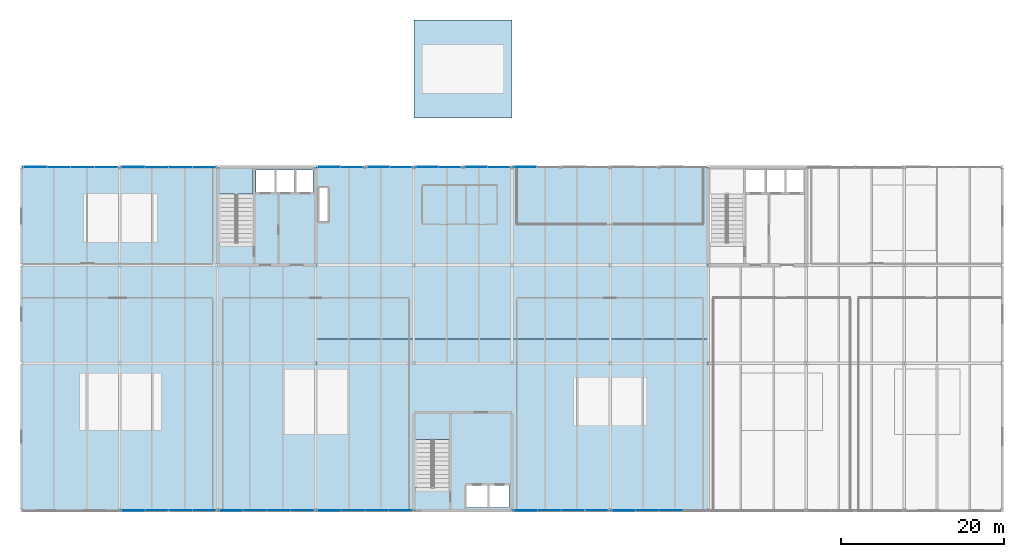
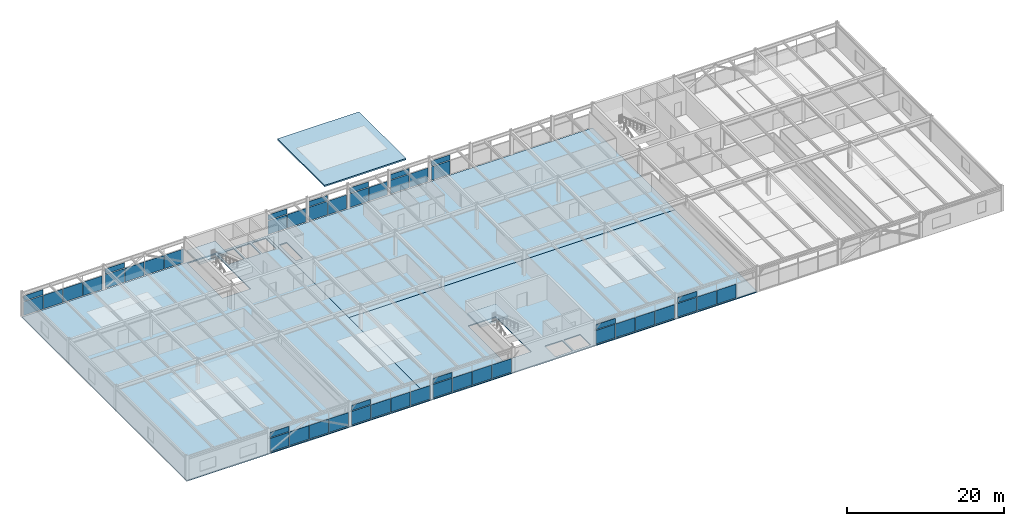
# One storey, part 39 of 49: 48 plates, 6 slabs, 14 elements without a shape of their own.
"""IFC4 building model written with IfcOpenShell, lengths in metres."""

import ifcopenshell
import ifcopenshell.guid

model = None  # the IFC model being written
_history = None  # IfcOwnerHistory: only IFC2X3 demands one
_inside = {}  # id of a spatial element -> (the spatial element, [elements in it])
_under = {}  # id of a project, library or spatial element -> (it, [spatial elements below it])
_declared = {}  # id of a project -> (the project, [libraries it declares])
_typed = {}  # id of a type object -> (the type object, [elements of that type])
_made_of = {}  # id of a material, layer set ... -> (it, [elements and type objects made of it])


def new_model(schema):
    """Start an empty IFC model of exactly this schema.

    Asked for "IFC4X3", IfcOpenShell would pick the latest addendum, in which some entities
    have other attributes; the version numbers below select the first issue.
    IFC2X3 requires an IfcOwnerHistory on every rooted entity: one is made here for all.
    """
    global model, _history
    if schema == "IFC4X3":
        model = ifcopenshell.file(schema_version=(4, 3, 0, 0))
    else:
        model = ifcopenshell.file(schema=schema)
    _inside.clear()
    _under.clear()
    _declared.clear()
    _typed.clear()
    _made_of.clear()
    _history = None
    if model.schema == "IFC2X3":
        org = make("IfcOrganization", Name="unknown")
        user = make(
            "IfcPersonAndOrganization",
            ThePerson=make("IfcPerson", FamilyName="unknown"),
            TheOrganization=org,
        )
        app = make(
            "IfcApplication",
            ApplicationDeveloper=org,
            Version="unknown",
            ApplicationFullName="unknown",
            ApplicationIdentifier="unknown",
        )
        _history = make(
            "IfcOwnerHistory",
            OwningUser=user,
            OwningApplication=app,
            ChangeAction="ADDED",
            CreationDate=0,
        )
    return model


def make(cls, **values):
    """One entity of the class cls with the attributes given. An attribute that is None is left unset."""
    return model.create_entity(
        cls, **{name: value for name, value in values.items() if value is not None}
    )


def rooted(cls, **values):
    """An entity with a GlobalId (a new one), such as an element, a storey or a relation."""
    return make(cls, GlobalId=ifcopenshell.guid.new(), OwnerHistory=_history, **values)


def si_unit(unit_type, name, prefix=None):
    """IfcSIUnit, for example si_unit("LENGTHUNIT", "METRE", prefix="MILLI")."""
    return make("IfcSIUnit", UnitType=unit_type, Prefix=prefix, Name=name)


def assignment(units):
    """IfcUnitAssignment: the units of a project."""
    return None if units is None else make("IfcUnitAssignment", Units=units)


def point(xyz):
    """IfcCartesianPoint."""
    return None if xyz is None else make("IfcCartesianPoint", Coordinates=xyz)


def direction(xyz):
    """IfcDirection."""
    return None if xyz is None else make("IfcDirection", DirectionRatios=xyz)


def frame(location, z_axis=None, x_axis=None):
    """IfcAxis2Placement3D, a coordinate frame: its origin and axes. An axis left out is left unset."""
    return make(
        "IfcAxis2Placement3D",
        Location=point(location),
        Axis=direction(z_axis),
        RefDirection=direction(x_axis),
    )


def frame_2d(location, x_axis=None):
    """IfcAxis2Placement2D, a coordinate frame in the plane: its origin and x axis."""
    return make(
        "IfcAxis2Placement2D", Location=point(location), RefDirection=direction(x_axis)
    )


def origin():
    """The frame at (0, 0, 0) with its axes left unset."""
    return frame((0.0, 0.0, 0.0))


def origin_2d():
    """The frame at (0, 0) in the plane with its x axis left unset."""
    return frame_2d((0.0, 0.0))


def place(relative_to, where):
    """IfcLocalPlacement: puts the frame where relative to a parent placement (None: the world)."""
    return make(
        "IfcLocalPlacement", PlacementRelTo=relative_to, RelativePlacement=where
    )


def context(
    kind, dimensions, precision=None, world=None, true_north=None, identifier=None
):
    """IfcGeometricRepresentationContext, for example the 3D "Model" context."""
    return make(
        "IfcGeometricRepresentationContext",
        ContextIdentifier=identifier,
        ContextType=kind,
        CoordinateSpaceDimension=dimensions,
        Precision=precision,
        WorldCoordinateSystem=world,
        TrueNorth=true_north,
    )


def subcontext(parent, identifier, kind, view, scale=None):
    """IfcGeometricRepresentationSubContext, for example "Body" below "Model"."""
    return make(
        "IfcGeometricRepresentationSubContext",
        ContextIdentifier=identifier,
        ContextType=kind,
        ParentContext=parent,
        TargetScale=scale,
        TargetView=view,
    )


def project(units=None, contexts=None):
    """IfcProject with its units and contexts."""
    return rooted(
        "IfcProject",
        Name="project",
        RepresentationContexts=contexts,
        UnitsInContext=assignment(units),
    )


def spatial(cls, under=None, at=None, **own):
    """A site, building, storey or space (cls), placed at a placement, below another one or the project."""
    s = rooted(cls, ObjectPlacement=at, **own)
    if under is not None:
        _under.setdefault(under.id(), (under, []))[1].append(s)
    return s


def polyline(points):
    """IfcPolyline through the points."""
    return make("IfcPolyline", Points=[point(p) for p in points])


def profile(cls, at=None, kind="AREA", **sizes):
    """A parametric profile (cls). Its sizes go by their IFC names, for example OverallWidth=200.0."""
    return make(cls, ProfileType=kind, Position=at, **sizes)


def rectangle(**sizes):
    """IfcRectangleProfileDef."""
    return profile("IfcRectangleProfileDef", **sizes)


def outline(outer, holes=None, kind="AREA"):
    """IfcArbitraryClosedProfileDef: a profile drawn as a closed curve; with holes, ...WithVoids."""
    if holes is None:
        return make("IfcArbitraryClosedProfileDef", ProfileType=kind, OuterCurve=outer)
    return make(
        "IfcArbitraryProfileDefWithVoids",
        ProfileType=kind,
        OuterCurve=outer,
        InnerCurves=holes,
    )


def extrude(swept, where, along, depth):
    """IfcExtrudedAreaSolid: the profile swept, set in the frame where, extruded along a direction by depth."""
    return make(
        "IfcExtrudedAreaSolid",
        SweptArea=swept,
        Position=where,
        ExtrudedDirection=direction(along),
        Depth=depth,
    )


def shape(context_of_items, identifier, shape_type, items):
    """IfcShapeRepresentation: the items that make up one representation, for example the "Body"."""
    return make(
        "IfcShapeRepresentation",
        ContextOfItems=context_of_items,
        RepresentationIdentifier=identifier,
        RepresentationType=shape_type,
        Items=items,
    )


def material(Name=None, Category=None):
    """IfcMaterial."""
    return make("IfcMaterial", Name=Name, Category=Category)


def layer(
    of_material, thickness, ventilated=None, Name=None, Category=None, Priority=None
):
    """IfcMaterialLayer: one layer of a wall or slab, of a material (None: an air gap)."""
    return make(
        "IfcMaterialLayer",
        Material=of_material,
        LayerThickness=thickness,
        IsVentilated=ventilated,
        Name=Name,
        Category=Category,
        Priority=Priority,
    )


def layer_set(layers, Name=None):
    """IfcMaterialLayerSet."""
    return make("IfcMaterialLayerSet", MaterialLayers=layers, LayerSetName=Name)


def made_of(thing, what):
    """Note that an element or type object is made of a material, layer set ...; save() writes the relation."""
    if what is not None:
        _made_of.setdefault(what.id(), (what, []))[1].append(thing)
    return thing


def type_object(cls, material=None, **own):
    """A type object (cls), such as IfcWallType, which elements share."""
    return made_of(rooted(cls, **own), material)


def element(
    cls,
    number,
    at=None,
    inside=None,
    cuts=None,
    type_object=None,
    material=None,
    context=None,
    identifier="Body",
    shape_type=None,
    held_by="IfcProductDefinitionShape",
    body=None,
    shapes=None,
    **own,
):
    """One element of the class cls, such as IfcWall. Its Tag is "e" and its number.

    at: its placement. inside: the storey or other place that contains it. cuts: it is an
    opening in that element (IfcRelVoidsElement). A single representation is given by context,
    identifier, shape_type and body (its items); several are given by shapes. held_by: the class
    of the entity that holds the representations. save() writes the other relations.
    """
    e = rooted(cls, Tag="e%d" % number, ObjectPlacement=at, **own)
    if body is not None:
        shapes = [shape(context, identifier, shape_type, body)]
    if shapes is not None:
        e.Representation = make(held_by, Representations=shapes)
    if inside is not None:
        _inside.setdefault(inside.id(), (inside, []))[1].append(e)
    if cuts is not None:
        rooted(
            "IfcRelVoidsElement", RelatingBuildingElement=cuts, RelatedOpeningElement=e
        )
    if type_object is not None:
        _typed.setdefault(type_object.id(), (type_object, []))[1].append(e)
    return made_of(e, material)


def aggregate(whole, parts):
    """IfcRelAggregates: a whole, such as a stair, and the parts it consists of."""
    return rooted("IfcRelAggregates", RelatingObject=whole, RelatedObjects=parts)


def save(model, path):
    """Write the relations noted so far, then the file.

    IfcRelAggregates (storeys below a building ...), IfcRelContainedInSpatialStructure (elements
    in a storey), IfcRelDefinesByType, IfcRelAssociatesMaterial and IfcRelDeclares: one each for
    every whole, place, type object, material and project.
    """
    for whole, parts in _under.values():
        aggregate(whole, parts)
    for where, things in _inside.values():
        rooted(
            "IfcRelContainedInSpatialStructure",
            RelatedElements=things,
            RelatingStructure=where,
        )
    for kind, things in _typed.values():
        rooted("IfcRelDefinesByType", RelatedObjects=things, RelatingType=kind)
    for what, things in _made_of.values():
        rooted("IfcRelAssociatesMaterial", RelatedObjects=things, RelatingMaterial=what)
    for by, libraries in _declared.values():
        rooted("IfcRelDeclares", RelatingContext=by, RelatedDefinitions=libraries)
    model.write(path)


model = new_model("IFC4")

# Units and contexts
model_context = context("Model", 3, precision=1e-05, world=origin(), true_north=direction((0.0, 1.0)))
body_context = subcontext(model_context, "Body", "Model", "MODEL_VIEW")
ifc_project = project(units=[si_unit("LENGTHUNIT", "METRE"), si_unit("AREAUNIT", "SQUARE_METRE"), si_unit("VOLUMEUNIT", "CUBIC_METRE"), si_unit("PLANEANGLEUNIT", "RADIAN"), si_unit("MASSUNIT", "GRAM", prefix="KILO")], contexts=[model_context])

# Site, building, storey
site_placement = place(None, origin())
site = spatial("IfcSite", under=ifc_project, at=site_placement, CompositionType="ELEMENT")
building_placement = place(site_placement, origin())
building = spatial("IfcBuilding", under=site, at=building_placement, Name="Girod Span Mobility Hub", CompositionType="ELEMENT")
storey_placement = place(building_placement, frame((0.0, 0.0, 37.60009765625)))
storey = spatial("IfcBuildingStorey", under=building, at=storey_placement, Name="L09", CompositionType="ELEMENT", Elevation=37.60009765625)

# Curtain wall, plate
ifc_material_1 = material(Name="Thermally Broken Anodised Aluminium", Category="aluminium")
curtain_wall_type_1 = type_object("IfcCurtainWallType", Name="CW-561X329", PredefinedType="USERDEFINED", material=ifc_material_1)
curtain_wall_1_placement = place(storey_placement, origin())
curtain_wall_1 = element("IfcCurtainWall", 1, at=curtain_wall_1_placement, inside=storey, type_object=curtain_wall_type_1, Name="Unitised Curtain Wall CW-L09-N06W L09", ObjectType="UNITISED CURTAIN WALL", PredefinedType="USERDEFINED")
ifc_material_2 = material(Name="Double Low-E Insulated Glazing", Category="glass")
ifc_layer_1 = layer(ifc_material_2, 0.0380859375)
ifc_layer_set_1 = layer_set([ifc_layer_1], Name="Double Low-E Insulated Glazing")
plate_type_1 = type_object("IfcPlateType", Name="PLT-SPN-2734X841X38", PredefinedType="CURTAIN_PANEL", material=ifc_layer_set_1)
plate_1_placement = place(storey_placement, frame((61.599365234375, 69.0, 2.36962890625), z_axis=(0.0, 0.0, 1.0), x_axis=(1.0, 0.0, 0.0)))
plate_1 = element("IfcPlate", 2, at=plate_1_placement, type_object=plate_type_1, Name="Spandrel Glazing Panel CW-L09-N06W-S1", PredefinedType="CURTAIN_PANEL", context=body_context, shape_type="SweptSolid", body=[
    extrude(rectangle(XDim=2.73974609375, YDim=0.0380859375, at=origin_2d()), origin(), (0.0, 0.0, 1.0), 0.801513671875),
])

curtain_wall_2_placement = place(storey_placement, origin())
curtain_wall_2 = element("IfcCurtainWall", 3, at=curtain_wall_2_placement, inside=storey, type_object=curtain_wall_type_1, Name="Unitised Curtain Wall CW-L09-N06E L09", ObjectType="UNITISED CURTAIN WALL", PredefinedType="USERDEFINED")
plate_2_placement = place(storey_placement, frame((67.596923828125, 69.0, 2.36962890625), z_axis=(0.0, 0.0, 1.0), x_axis=(1.0, 0.0, 0.0)))
plate_2 = element("IfcPlate", 4, at=plate_2_placement, type_object=plate_type_1, Name="Spandrel Glazing Panel CW-L09-N06E-S1", PredefinedType="CURTAIN_PANEL", context=body_context, shape_type="SweptSolid", body=[
    extrude(rectangle(XDim=2.73974609375, YDim=0.0380859375, at=origin_2d()), origin(), (0.0, 0.0, 1.0), 0.801513671875),
])

curtain_wall_3_placement = place(storey_placement, origin())
curtain_wall_3 = element("IfcCurtainWall", 5, at=curtain_wall_3_placement, inside=storey, type_object=curtain_wall_type_1, Name="Unitised Curtain Wall CW-L09-N07W L09", ObjectType="UNITISED CURTAIN WALL", PredefinedType="USERDEFINED")
plate_3_placement = place(storey_placement, frame((73.599365234375, 69.0, 2.36962890625), z_axis=(0.0, 0.0, 1.0), x_axis=(1.0, 0.0, 0.0)))
plate_3 = element("IfcPlate", 6, at=plate_3_placement, type_object=plate_type_1, Name="Spandrel Glazing Panel CW-L09-N07W-S1", PredefinedType="CURTAIN_PANEL", context=body_context, shape_type="SweptSolid", body=[
    extrude(rectangle(XDim=2.73974609375, YDim=0.0380859375, at=origin_2d()), origin(), (0.0, 0.0, 1.0), 0.801513671875),
])

curtain_wall_4_placement = place(storey_placement, origin())
curtain_wall_4 = element("IfcCurtainWall", 7, at=curtain_wall_4_placement, inside=storey, type_object=curtain_wall_type_1, Name="Unitised Curtain Wall CW-L09-N07E L09", ObjectType="UNITISED CURTAIN WALL", PredefinedType="USERDEFINED")
plate_4_placement = place(storey_placement, frame((79.596923828125, 69.0, 2.36962890625), z_axis=(0.0, 0.0, 1.0), x_axis=(1.0, 0.0, 0.0)))
plate_4 = element("IfcPlate", 8, at=plate_4_placement, type_object=plate_type_1, Name="Spandrel Glazing Panel CW-L09-N07E-S1", PredefinedType="CURTAIN_PANEL", context=body_context, shape_type="SweptSolid", body=[
    extrude(rectangle(XDim=2.73974609375, YDim=0.0380859375, at=origin_2d()), origin(), (0.0, 0.0, 1.0), 0.801513671875),
])

curtain_wall_5_placement = place(storey_placement, origin())
curtain_wall_5 = element("IfcCurtainWall", 9, at=curtain_wall_5_placement, inside=storey, type_object=curtain_wall_type_1, Name="Unitised Curtain Wall CW-L09-N08W L09", ObjectType="UNITISED CURTAIN WALL", PredefinedType="USERDEFINED")
plate_5_placement = place(storey_placement, frame((85.599365234375, 69.0, 2.36962890625), z_axis=(0.0, 0.0, 1.0), x_axis=(1.0, 0.0, 0.0)))
plate_5 = element("IfcPlate", 10, at=plate_5_placement, type_object=plate_type_1, Name="Spandrel Glazing Panel CW-L09-N08W-S1", PredefinedType="CURTAIN_PANEL", context=body_context, shape_type="SweptSolid", body=[
    extrude(rectangle(XDim=2.73974609375, YDim=0.0380859375, at=origin_2d()), origin(), (0.0, 0.0, 1.0), 0.801513671875),
])

ifc_material_3 = material(Name="Thermally Broken Anodised Aluminium", Category="aluminium")
curtain_wall_type_2 = type_object("IfcCurtainWallType", Name="CW-1161X329", PredefinedType="USERDEFINED", material=ifc_material_3)
curtain_wall_6_placement = place(storey_placement, origin())
curtain_wall_6 = element("IfcCurtainWall", 11, at=curtain_wall_6_placement, inside=storey, type_object=curtain_wall_type_2, Name="Unitised Curtain Wall CW-L09-N04 L09", ObjectType="UNITISED CURTAIN WALL", PredefinedType="USERDEFINED")
ifc_material_4 = material(Name="Double Low-E Insulated Glazing", Category="glass")
ifc_layer_2 = layer(ifc_material_4, 0.0380859375)
ifc_layer_set_2 = layer_set([ifc_layer_2], Name="Double Low-E Insulated Glazing")
plate_type_2 = type_object("IfcPlateType", Name="PLT-SPN-2832X841X38", PredefinedType="CURTAIN_PANEL", material=ifc_layer_set_2)
plate_6_placement = place(storey_placement, frame((37.64599609375, 69.0, 2.36962890625), z_axis=(0.0, 0.0, 1.0), x_axis=(1.0, 0.0, 0.0)))
plate_6 = element("IfcPlate", 12, at=plate_6_placement, type_object=plate_type_2, Name="Spandrel Glazing Panel CW-L09-N04-S1", PredefinedType="CURTAIN_PANEL", context=body_context, shape_type="SweptSolid", body=[
    extrude(rectangle(XDim=2.837890625, YDim=0.0380859375, at=origin_2d()), origin(), (0.0, 0.0, 1.0), 0.801513671875),
])

curtain_wall_7_placement = place(storey_placement, origin())
curtain_wall_7 = element("IfcCurtainWall", 13, at=curtain_wall_7_placement, inside=storey, type_object=curtain_wall_type_2, Name="Unitised Curtain Wall CW-L09-S04 L09", ObjectType="UNITISED CURTAIN WALL", PredefinedType="USERDEFINED")
ifc_material_5 = material(Name="Double Low-E Insulated Glazing", Category="glass")
ifc_layer_3 = layer(ifc_material_5, 0.0380859375)
ifc_layer_set_3 = layer_set([ifc_layer_3], Name="Double Low-E Insulated Glazing")
plate_type_3 = type_object("IfcPlateType", Name="PLT-SPN-2833X841X38", PredefinedType="CURTAIN_PANEL", material=ifc_layer_set_3)
plate_7_placement = place(storey_placement, frame((37.646240234375, 27.0, 2.36962890625), z_axis=(0.0, 0.0, 1.0), x_axis=(1.0, 0.0, 0.0)))
plate_7 = element("IfcPlate", 14, at=plate_7_placement, type_object=plate_type_3, Name="Spandrel Glazing Panel CW-L09-S04-S1", PredefinedType="CURTAIN_PANEL", context=body_context, shape_type="SweptSolid", body=[
    extrude(rectangle(XDim=2.83837890625, YDim=0.0380859375, at=origin_2d()), origin(), (0.0, 0.0, 1.0), 0.801513671875),
])

curtain_wall_8_placement = place(storey_placement, origin())
curtain_wall_8 = element("IfcCurtainWall", 15, at=curtain_wall_8_placement, inside=storey, type_object=curtain_wall_type_2, Name="Unitised Curtain Wall CW-L09-S05 L09", ObjectType="UNITISED CURTAIN WALL", PredefinedType="USERDEFINED")
plate_8_placement = place(storey_placement, frame((49.646240234375, 27.0, 2.36962890625), z_axis=(0.0, 0.0, 1.0), x_axis=(1.0, 0.0, 0.0)))
plate_8 = element("IfcPlate", 16, at=plate_8_placement, type_object=plate_type_3, Name="Spandrel Glazing Panel CW-L09-S05-S1", PredefinedType="CURTAIN_PANEL", context=body_context, shape_type="SweptSolid", body=[
    extrude(rectangle(XDim=2.83837890625, YDim=0.0380859375, at=origin_2d()), origin(), (0.0, 0.0, 1.0), 0.801513671875),
])

curtain_wall_9_placement = place(storey_placement, origin())
curtain_wall_9 = element("IfcCurtainWall", 17, at=curtain_wall_9_placement, inside=storey, type_object=curtain_wall_type_2, Name="Unitised Curtain Wall CW-L09-S06 L09", ObjectType="UNITISED CURTAIN WALL", PredefinedType="USERDEFINED")
plate_9_placement = place(storey_placement, frame((61.646240234375, 27.0, 2.36962890625), z_axis=(0.0, 0.0, 1.0), x_axis=(1.0, 0.0, 0.0)))
plate_9 = element("IfcPlate", 18, at=plate_9_placement, type_object=plate_type_3, Name="Spandrel Glazing Panel CW-L09-S06-S1", PredefinedType="CURTAIN_PANEL", context=body_context, shape_type="SweptSolid", body=[
    extrude(rectangle(XDim=2.83837890625, YDim=0.0380859375, at=origin_2d()), origin(), (0.0, 0.0, 1.0), 0.801513671875),
])

curtain_wall_10_placement = place(storey_placement, origin())
curtain_wall_10 = element("IfcCurtainWall", 19, at=curtain_wall_10_placement, inside=storey, type_object=curtain_wall_type_2, Name="Unitised Curtain Wall CW-L09-S08 L09", ObjectType="UNITISED CURTAIN WALL", PredefinedType="USERDEFINED")
plate_10_placement = place(storey_placement, frame((85.646240234375, 27.0, 2.36962890625), z_axis=(0.0, 0.0, 1.0), x_axis=(1.0, 0.0, 0.0)))
plate_10 = element("IfcPlate", 20, at=plate_10_placement, type_object=plate_type_3, Name="Spandrel Glazing Panel CW-L09-S08-S1", PredefinedType="CURTAIN_PANEL", context=body_context, shape_type="SweptSolid", body=[
    extrude(rectangle(XDim=2.83837890625, YDim=0.0380859375, at=origin_2d()), origin(), (0.0, 0.0, 1.0), 0.801513671875),
])

curtain_wall_11_placement = place(storey_placement, origin())
curtain_wall_11 = element("IfcCurtainWall", 21, at=curtain_wall_11_placement, inside=storey, type_object=curtain_wall_type_2, Name="Unitised Curtain Wall CW-L09-S09 L09", ObjectType="UNITISED CURTAIN WALL", PredefinedType="USERDEFINED")
plate_11_placement = place(storey_placement, frame((97.646240234375, 27.0, 2.36962890625), z_axis=(0.0, 0.0, 1.0), x_axis=(1.0, 0.0, 0.0)))
plate_11 = element("IfcPlate", 22, at=plate_11_placement, type_object=plate_type_3, Name="Spandrel Glazing Panel CW-L09-S09-S1", PredefinedType="CURTAIN_PANEL", context=body_context, shape_type="SweptSolid", body=[
    extrude(rectangle(XDim=2.83837890625, YDim=0.0380859375, at=origin_2d()), origin(), (0.0, 0.0, 1.0), 0.801513671875),
])

curtain_wall_12_placement = place(storey_placement, origin())
curtain_wall_12 = element("IfcCurtainWall", 23, at=curtain_wall_12_placement, inside=storey, type_object=curtain_wall_type_2, Name="Unitised Curtain Wall CW-L09-N03 L09", ObjectType="UNITISED CURTAIN WALL", PredefinedType="USERDEFINED")
plate_12_placement = place(storey_placement, frame((25.646240234375, 69.0, 2.36962890625), z_axis=(0.0, 0.0, 1.0), x_axis=(1.0, 0.0, 0.0)))
plate_12 = element("IfcPlate", 24, at=plate_12_placement, type_object=plate_type_3, Name="Spandrel Glazing Panel CW-L09-N03-S1", PredefinedType="CURTAIN_PANEL", context=body_context, shape_type="SweptSolid", body=[
    extrude(rectangle(XDim=2.83837890625, YDim=0.0380859375, at=origin_2d()), origin(), (0.0, 0.0, 1.0), 0.801513671875),
])

# Plate
ifc_material_6 = material(Name="Double Low-E Insulated Glazing", Category="glass")
ifc_layer_4 = layer(ifc_material_6, 0.02587890625)
ifc_layer_set_4 = layer_set([ifc_layer_4], Name="Double Low-E Insulated Glazing")
plate_type_4 = type_object("IfcPlateType", Name="PLT-VIS-2734X2370X26", PredefinedType="CURTAIN_PANEL", material=ifc_layer_set_4)
plate_13_placement = place(storey_placement, frame((61.599365234375, 69.0, 0.1396484375), z_axis=(0.0, 0.0, 1.0), x_axis=(1.0, 0.0, 0.0)))
plate_13 = element("IfcPlate", 25, at=plate_13_placement, type_object=plate_type_4, Name="Vision Glazing Panel CW-L09-N06W-V1", PredefinedType="CURTAIN_PANEL", context=body_context, shape_type="SweptSolid", body=[
    extrude(rectangle(XDim=2.73974609375, YDim=0.02587890625, at=origin_2d()), origin(), (0.0, 0.0, 1.0), 2.109619140625),
])

plate_14_placement = place(storey_placement, frame((64.403076171875, 69.0, 0.1396484375), z_axis=(0.0, 0.0, 1.0), x_axis=(1.0, 0.0, 0.0)))
plate_14 = element("IfcPlate", 26, at=plate_14_placement, type_object=plate_type_4, Name="Vision Glazing Panel CW-L09-N06W-V2", PredefinedType="CURTAIN_PANEL", context=body_context, shape_type="SweptSolid", body=[
    extrude(rectangle(XDim=2.73974609375, YDim=0.02587890625, at=origin_2d()), origin(), (0.0, 0.0, 1.0), 2.109619140625),
])

aggregate(curtain_wall_1, [plate_13, plate_1, plate_14])

plate_15_placement = place(storey_placement, frame((67.596923828125, 69.0, 0.1396484375), z_axis=(0.0, 0.0, 1.0), x_axis=(1.0, 0.0, 0.0)))
plate_15 = element("IfcPlate", 27, at=plate_15_placement, type_object=plate_type_4, Name="Vision Glazing Panel CW-L09-N06E-V1", PredefinedType="CURTAIN_PANEL", context=body_context, shape_type="SweptSolid", body=[
    extrude(rectangle(XDim=2.73974609375, YDim=0.02587890625, at=origin_2d()), origin(), (0.0, 0.0, 1.0), 2.109619140625),
])

plate_16_placement = place(storey_placement, frame((70.400634765625, 69.0, 0.1396484375), z_axis=(0.0, 0.0, 1.0), x_axis=(1.0, 0.0, 0.0)))
plate_16 = element("IfcPlate", 28, at=plate_16_placement, type_object=plate_type_4, Name="Vision Glazing Panel CW-L09-N06E-V2", PredefinedType="CURTAIN_PANEL", context=body_context, shape_type="SweptSolid", body=[
    extrude(rectangle(XDim=2.73974609375, YDim=0.02587890625, at=origin_2d()), origin(), (0.0, 0.0, 1.0), 2.109619140625),
])

aggregate(curtain_wall_2, [plate_15, plate_2, plate_16])

plate_17_placement = place(storey_placement, frame((73.599365234375, 69.0, 0.1396484375), z_axis=(0.0, 0.0, 1.0), x_axis=(1.0, 0.0, 0.0)))
plate_17 = element("IfcPlate", 29, at=plate_17_placement, type_object=plate_type_4, Name="Vision Glazing Panel CW-L09-N07W-V1", PredefinedType="CURTAIN_PANEL", context=body_context, shape_type="SweptSolid", body=[
    extrude(rectangle(XDim=2.73974609375, YDim=0.02587890625, at=origin_2d()), origin(), (0.0, 0.0, 1.0), 2.109619140625),
])

plate_18_placement = place(storey_placement, frame((76.403076171875, 69.0, 0.1396484375), z_axis=(0.0, 0.0, 1.0), x_axis=(1.0, 0.0, 0.0)))
plate_18 = element("IfcPlate", 30, at=plate_18_placement, type_object=plate_type_4, Name="Vision Glazing Panel CW-L09-N07W-V2", PredefinedType="CURTAIN_PANEL", context=body_context, shape_type="SweptSolid", body=[
    extrude(rectangle(XDim=2.73974609375, YDim=0.02587890625, at=origin_2d()), origin(), (0.0, 0.0, 1.0), 2.109619140625),
])

aggregate(curtain_wall_3, [plate_17, plate_3, plate_18])

plate_19_placement = place(storey_placement, frame((79.596923828125, 69.0, 0.1396484375), z_axis=(0.0, 0.0, 1.0), x_axis=(1.0, 0.0, 0.0)))
plate_19 = element("IfcPlate", 31, at=plate_19_placement, type_object=plate_type_4, Name="Vision Glazing Panel CW-L09-N07E-V1", PredefinedType="CURTAIN_PANEL", context=body_context, shape_type="SweptSolid", body=[
    extrude(rectangle(XDim=2.73974609375, YDim=0.02587890625, at=origin_2d()), origin(), (0.0, 0.0, 1.0), 2.109619140625),
])

plate_20_placement = place(storey_placement, frame((82.400634765625, 69.0, 0.1396484375), z_axis=(0.0, 0.0, 1.0), x_axis=(1.0, 0.0, 0.0)))
plate_20 = element("IfcPlate", 32, at=plate_20_placement, type_object=plate_type_4, Name="Vision Glazing Panel CW-L09-N07E-V2", PredefinedType="CURTAIN_PANEL", context=body_context, shape_type="SweptSolid", body=[
    extrude(rectangle(XDim=2.73974609375, YDim=0.02587890625, at=origin_2d()), origin(), (0.0, 0.0, 1.0), 2.109619140625),
])

aggregate(curtain_wall_4, [plate_19, plate_4, plate_20])

plate_21_placement = place(storey_placement, frame((85.599365234375, 69.0, 0.1396484375), z_axis=(0.0, 0.0, 1.0), x_axis=(1.0, 0.0, 0.0)))
plate_21 = element("IfcPlate", 33, at=plate_21_placement, type_object=plate_type_4, Name="Vision Glazing Panel CW-L09-N08W-V1", PredefinedType="CURTAIN_PANEL", context=body_context, shape_type="SweptSolid", body=[
    extrude(rectangle(XDim=2.73974609375, YDim=0.02587890625, at=origin_2d()), origin(), (0.0, 0.0, 1.0), 2.109619140625),
])

aggregate(curtain_wall_5, [plate_21, plate_5])

ifc_material_7 = material(Name="Double Low-E Insulated Glazing", Category="glass")
ifc_layer_5 = layer(ifc_material_7, 0.02587890625)
ifc_layer_set_5 = layer_set([ifc_layer_5], Name="Double Low-E Insulated Glazing")
plate_type_5 = type_object("IfcPlateType", Name="PLT-VIS-2832X2370X26", PredefinedType="CURTAIN_PANEL", material=ifc_layer_set_5)
plate_22_placement = place(storey_placement, frame((37.64599609375, 69.0, 0.1396484375), z_axis=(0.0, 0.0, 1.0), x_axis=(1.0, 0.0, 0.0)))
plate_22 = element("IfcPlate", 34, at=plate_22_placement, type_object=plate_type_5, Name="Vision Glazing Panel CW-L09-N04-V1", PredefinedType="CURTAIN_PANEL", context=body_context, shape_type="SweptSolid", body=[
    extrude(rectangle(XDim=2.837890625, YDim=0.02587890625, at=origin_2d()), origin(), (0.0, 0.0, 1.0), 2.109619140625),
])

plate_23_placement = place(storey_placement, frame((40.5478515625, 69.0, 0.1396484375), z_axis=(0.0, 0.0, 1.0), x_axis=(1.0, 0.0, 0.0)))
plate_23 = element("IfcPlate", 35, at=plate_23_placement, type_object=plate_type_5, Name="Vision Glazing Panel CW-L09-N04-V2", PredefinedType="CURTAIN_PANEL", context=body_context, shape_type="SweptSolid", body=[
    extrude(rectangle(XDim=2.837890625, YDim=0.02587890625, at=origin_2d()), origin(), (0.0, 0.0, 1.0), 2.109619140625),
])

plate_24_placement = place(storey_placement, frame((43.44970703125, 69.0, 0.1396484375), z_axis=(0.0, 0.0, 1.0), x_axis=(1.0, 0.0, 0.0)))
plate_24 = element("IfcPlate", 36, at=plate_24_placement, type_object=plate_type_5, Name="Vision Glazing Panel CW-L09-N04-V3", PredefinedType="CURTAIN_PANEL", context=body_context, shape_type="SweptSolid", body=[
    extrude(rectangle(XDim=2.837890625, YDim=0.02587890625, at=origin_2d()), origin(), (0.0, 0.0, 1.0), 2.109619140625),
])

plate_25_placement = place(storey_placement, frame((46.3515625, 69.0, 0.1396484375), z_axis=(0.0, 0.0, 1.0), x_axis=(1.0, 0.0, 0.0)))
plate_25 = element("IfcPlate", 37, at=plate_25_placement, type_object=plate_type_5, Name="Vision Glazing Panel CW-L09-N04-V4", PredefinedType="CURTAIN_PANEL", context=body_context, shape_type="SweptSolid", body=[
    extrude(rectangle(XDim=2.837890625, YDim=0.02587890625, at=origin_2d()), origin(), (0.0, 0.0, 1.0), 2.109619140625),
])

aggregate(curtain_wall_6, [plate_22, plate_6, plate_23, plate_24, plate_25])

ifc_material_8 = material(Name="Double Low-E Insulated Glazing", Category="glass")
ifc_layer_6 = layer(ifc_material_8, 0.02587890625)
ifc_layer_set_6 = layer_set([ifc_layer_6], Name="Double Low-E Insulated Glazing")
plate_type_6 = type_object("IfcPlateType", Name="PLT-VIS-2833X2370X26", PredefinedType="CURTAIN_PANEL", material=ifc_layer_set_6)
plate_26_placement = place(storey_placement, frame((37.646240234375, 27.0, 0.1396484375), z_axis=(0.0, 0.0, 1.0), x_axis=(1.0, 0.0, 0.0)))
plate_26 = element("IfcPlate", 38, at=plate_26_placement, type_object=plate_type_6, Name="Vision Glazing Panel CW-L09-S04-V1", PredefinedType="CURTAIN_PANEL", context=body_context, shape_type="SweptSolid", body=[
    extrude(rectangle(XDim=2.83837890625, YDim=0.02587890625, at=origin_2d()), origin(), (0.0, 0.0, 1.0), 2.109619140625),
])

plate_27_placement = place(storey_placement, frame((40.548828125, 27.0, 0.1396484375), z_axis=(0.0, 0.0, 1.0), x_axis=(1.0, 0.0, 0.0)))
plate_27 = element("IfcPlate", 39, at=plate_27_placement, type_object=plate_type_6, Name="Vision Glazing Panel CW-L09-S04-V2", PredefinedType="CURTAIN_PANEL", context=body_context, shape_type="SweptSolid", body=[
    extrude(rectangle(XDim=2.83837890625, YDim=0.02587890625, at=origin_2d()), origin(), (0.0, 0.0, 1.0), 2.109619140625),
])

plate_28_placement = place(storey_placement, frame((43.451171875, 27.0, 0.1396484375), z_axis=(0.0, 0.0, 1.0), x_axis=(1.0, 0.0, 0.0)))
plate_28 = element("IfcPlate", 40, at=plate_28_placement, type_object=plate_type_6, Name="Vision Glazing Panel CW-L09-S04-V3", PredefinedType="CURTAIN_PANEL", context=body_context, shape_type="SweptSolid", body=[
    extrude(rectangle(XDim=2.83837890625, YDim=0.02587890625, at=origin_2d()), origin(), (0.0, 0.0, 1.0), 2.109619140625),
])

plate_29_placement = place(storey_placement, frame((46.353759765625, 27.0, 0.1396484375), z_axis=(0.0, 0.0, 1.0), x_axis=(1.0, 0.0, 0.0)))
plate_29 = element("IfcPlate", 41, at=plate_29_placement, type_object=plate_type_6, Name="Vision Glazing Panel CW-L09-S04-V4", PredefinedType="CURTAIN_PANEL", context=body_context, shape_type="SweptSolid", body=[
    extrude(rectangle(XDim=2.83837890625, YDim=0.02587890625, at=origin_2d()), origin(), (0.0, 0.0, 1.0), 2.109619140625),
])

aggregate(curtain_wall_7, [plate_26, plate_7, plate_27, plate_28, plate_29])

plate_30_placement = place(storey_placement, frame((49.646240234375, 27.0, 0.1396484375), z_axis=(0.0, 0.0, 1.0), x_axis=(1.0, 0.0, 0.0)))
plate_30 = element("IfcPlate", 42, at=plate_30_placement, type_object=plate_type_6, Name="Vision Glazing Panel CW-L09-S05-V1", PredefinedType="CURTAIN_PANEL", context=body_context, shape_type="SweptSolid", body=[
    extrude(rectangle(XDim=2.83837890625, YDim=0.02587890625, at=origin_2d()), origin(), (0.0, 0.0, 1.0), 2.109619140625),
])

plate_31_placement = place(storey_placement, frame((52.548828125, 27.0, 0.1396484375), z_axis=(0.0, 0.0, 1.0), x_axis=(1.0, 0.0, 0.0)))
plate_31 = element("IfcPlate", 43, at=plate_31_placement, type_object=plate_type_6, Name="Vision Glazing Panel CW-L09-S05-V2", PredefinedType="CURTAIN_PANEL", context=body_context, shape_type="SweptSolid", body=[
    extrude(rectangle(XDim=2.83837890625, YDim=0.02587890625, at=origin_2d()), origin(), (0.0, 0.0, 1.0), 2.109619140625),
])

plate_32_placement = place(storey_placement, frame((55.451171875, 27.0, 0.1396484375), z_axis=(0.0, 0.0, 1.0), x_axis=(1.0, 0.0, 0.0)))
plate_32 = element("IfcPlate", 44, at=plate_32_placement, type_object=plate_type_6, Name="Vision Glazing Panel CW-L09-S05-V3", PredefinedType="CURTAIN_PANEL", context=body_context, shape_type="SweptSolid", body=[
    extrude(rectangle(XDim=2.83837890625, YDim=0.02587890625, at=origin_2d()), origin(), (0.0, 0.0, 1.0), 2.109619140625),
])

plate_33_placement = place(storey_placement, frame((58.353759765625, 27.0, 0.1396484375), z_axis=(0.0, 0.0, 1.0), x_axis=(1.0, 0.0, 0.0)))
plate_33 = element("IfcPlate", 45, at=plate_33_placement, type_object=plate_type_6, Name="Vision Glazing Panel CW-L09-S05-V4", PredefinedType="CURTAIN_PANEL", context=body_context, shape_type="SweptSolid", body=[
    extrude(rectangle(XDim=2.83837890625, YDim=0.02587890625, at=origin_2d()), origin(), (0.0, 0.0, 1.0), 2.109619140625),
])

aggregate(curtain_wall_8, [plate_30, plate_8, plate_31, plate_32, plate_33])

plate_34_placement = place(storey_placement, frame((61.646240234375, 27.0, 0.1396484375), z_axis=(0.0, 0.0, 1.0), x_axis=(1.0, 0.0, 0.0)))
plate_34 = element("IfcPlate", 46, at=plate_34_placement, type_object=plate_type_6, Name="Vision Glazing Panel CW-L09-S06-V1", PredefinedType="CURTAIN_PANEL", context=body_context, shape_type="SweptSolid", body=[
    extrude(rectangle(XDim=2.83837890625, YDim=0.02587890625, at=origin_2d()), origin(), (0.0, 0.0, 1.0), 2.109619140625),
])

plate_35_placement = place(storey_placement, frame((64.548828125, 27.0, 0.1396484375), z_axis=(0.0, 0.0, 1.0), x_axis=(1.0, 0.0, 0.0)))
plate_35 = element("IfcPlate", 47, at=plate_35_placement, type_object=plate_type_6, Name="Vision Glazing Panel CW-L09-S06-V2", PredefinedType="CURTAIN_PANEL", context=body_context, shape_type="SweptSolid", body=[
    extrude(rectangle(XDim=2.83837890625, YDim=0.02587890625, at=origin_2d()), origin(), (0.0, 0.0, 1.0), 2.109619140625),
])

plate_36_placement = place(storey_placement, frame((67.451171875, 27.0, 0.1396484375), z_axis=(0.0, 0.0, 1.0), x_axis=(1.0, 0.0, 0.0)))
plate_36 = element("IfcPlate", 48, at=plate_36_placement, type_object=plate_type_6, Name="Vision Glazing Panel CW-L09-S06-V3", PredefinedType="CURTAIN_PANEL", context=body_context, shape_type="SweptSolid", body=[
    extrude(rectangle(XDim=2.83837890625, YDim=0.02587890625, at=origin_2d()), origin(), (0.0, 0.0, 1.0), 2.109619140625),
])

plate_37_placement = place(storey_placement, frame((70.353759765625, 27.0, 0.1396484375), z_axis=(0.0, 0.0, 1.0), x_axis=(1.0, 0.0, 0.0)))
plate_37 = element("IfcPlate", 49, at=plate_37_placement, type_object=plate_type_6, Name="Vision Glazing Panel CW-L09-S06-V4", PredefinedType="CURTAIN_PANEL", context=body_context, shape_type="SweptSolid", body=[
    extrude(rectangle(XDim=2.83837890625, YDim=0.02587890625, at=origin_2d()), origin(), (0.0, 0.0, 1.0), 2.109619140625),
])

aggregate(curtain_wall_9, [plate_34, plate_9, plate_35, plate_36, plate_37])

plate_38_placement = place(storey_placement, frame((85.646240234375, 27.0, 0.1396484375), z_axis=(0.0, 0.0, 1.0), x_axis=(1.0, 0.0, 0.0)))
plate_38 = element("IfcPlate", 50, at=plate_38_placement, type_object=plate_type_6, Name="Vision Glazing Panel CW-L09-S08-V1", PredefinedType="CURTAIN_PANEL", context=body_context, shape_type="SweptSolid", body=[
    extrude(rectangle(XDim=2.83837890625, YDim=0.02587890625, at=origin_2d()), origin(), (0.0, 0.0, 1.0), 2.109619140625),
])

plate_39_placement = place(storey_placement, frame((88.548828125, 27.0, 0.1396484375), z_axis=(0.0, 0.0, 1.0), x_axis=(1.0, 0.0, 0.0)))
plate_39 = element("IfcPlate", 51, at=plate_39_placement, type_object=plate_type_6, Name="Vision Glazing Panel CW-L09-S08-V2", PredefinedType="CURTAIN_PANEL", context=body_context, shape_type="SweptSolid", body=[
    extrude(rectangle(XDim=2.83837890625, YDim=0.02587890625, at=origin_2d()), origin(), (0.0, 0.0, 1.0), 2.109619140625),
])

plate_40_placement = place(storey_placement, frame((91.451171875, 27.0, 0.1396484375), z_axis=(0.0, 0.0, 1.0), x_axis=(1.0, 0.0, 0.0)))
plate_40 = element("IfcPlate", 52, at=plate_40_placement, type_object=plate_type_6, Name="Vision Glazing Panel CW-L09-S08-V3", PredefinedType="CURTAIN_PANEL", context=body_context, shape_type="SweptSolid", body=[
    extrude(rectangle(XDim=2.83837890625, YDim=0.02587890625, at=origin_2d()), origin(), (0.0, 0.0, 1.0), 2.109619140625),
])

plate_41_placement = place(storey_placement, frame((94.353759765625, 27.0, 0.1396484375), z_axis=(0.0, 0.0, 1.0), x_axis=(1.0, 0.0, 0.0)))
plate_41 = element("IfcPlate", 53, at=plate_41_placement, type_object=plate_type_6, Name="Vision Glazing Panel CW-L09-S08-V4", PredefinedType="CURTAIN_PANEL", context=body_context, shape_type="SweptSolid", body=[
    extrude(rectangle(XDim=2.83837890625, YDim=0.02587890625, at=origin_2d()), origin(), (0.0, 0.0, 1.0), 2.109619140625),
])

aggregate(curtain_wall_10, [plate_38, plate_10, plate_39, plate_40, plate_41])

plate_42_placement = place(storey_placement, frame((97.646240234375, 27.0, 0.1396484375), z_axis=(0.0, 0.0, 1.0), x_axis=(1.0, 0.0, 0.0)))
plate_42 = element("IfcPlate", 54, at=plate_42_placement, type_object=plate_type_6, Name="Vision Glazing Panel CW-L09-S09-V1", PredefinedType="CURTAIN_PANEL", context=body_context, shape_type="SweptSolid", body=[
    extrude(rectangle(XDim=2.83837890625, YDim=0.02587890625, at=origin_2d()), origin(), (0.0, 0.0, 1.0), 2.109619140625),
])

plate_43_placement = place(storey_placement, frame((100.548828125, 27.0, 0.1396484375), z_axis=(0.0, 0.0, 1.0), x_axis=(1.0, 0.0, 0.0)))
plate_43 = element("IfcPlate", 55, at=plate_43_placement, type_object=plate_type_6, Name="Vision Glazing Panel CW-L09-S09-V2", PredefinedType="CURTAIN_PANEL", context=body_context, shape_type="SweptSolid", body=[
    extrude(rectangle(XDim=2.83837890625, YDim=0.02587890625, at=origin_2d()), origin(), (0.0, 0.0, 1.0), 2.109619140625),
])

plate_44_placement = place(storey_placement, frame((103.451171875, 27.0, 0.1396484375), z_axis=(0.0, 0.0, 1.0), x_axis=(1.0, 0.0, 0.0)))
plate_44 = element("IfcPlate", 56, at=plate_44_placement, type_object=plate_type_6, Name="Vision Glazing Panel CW-L09-S09-V3", PredefinedType="CURTAIN_PANEL", context=body_context, shape_type="SweptSolid", body=[
    extrude(rectangle(XDim=2.83837890625, YDim=0.02587890625, at=origin_2d()), origin(), (0.0, 0.0, 1.0), 2.109619140625),
])

aggregate(curtain_wall_11, [plate_42, plate_11, plate_43, plate_44])

plate_45_placement = place(storey_placement, frame((25.646240234375, 69.0, 0.1396484375), z_axis=(0.0, 0.0, 1.0), x_axis=(1.0, 0.0, 0.0)))
plate_45 = element("IfcPlate", 57, at=plate_45_placement, type_object=plate_type_6, Name="Vision Glazing Panel CW-L09-N03-V1", PredefinedType="CURTAIN_PANEL", context=body_context, shape_type="SweptSolid", body=[
    extrude(rectangle(XDim=2.83837890625, YDim=0.02587890625, at=origin_2d()), origin(), (0.0, 0.0, 1.0), 2.109619140625),
])

plate_46_placement = place(storey_placement, frame((28.548828125, 69.0, 0.1396484375), z_axis=(0.0, 0.0, 1.0), x_axis=(1.0, 0.0, 0.0)))
plate_46 = element("IfcPlate", 58, at=plate_46_placement, type_object=plate_type_6, Name="Vision Glazing Panel CW-L09-N03-V2", PredefinedType="CURTAIN_PANEL", context=body_context, shape_type="SweptSolid", body=[
    extrude(rectangle(XDim=2.83837890625, YDim=0.02587890625, at=origin_2d()), origin(), (0.0, 0.0, 1.0), 2.109619140625),
])

plate_47_placement = place(storey_placement, frame((31.451171875, 69.0, 0.1396484375), z_axis=(0.0, 0.0, 1.0), x_axis=(1.0, 0.0, 0.0)))
plate_47 = element("IfcPlate", 59, at=plate_47_placement, type_object=plate_type_6, Name="Vision Glazing Panel CW-L09-N03-V3", PredefinedType="CURTAIN_PANEL", context=body_context, shape_type="SweptSolid", body=[
    extrude(rectangle(XDim=2.83837890625, YDim=0.02587890625, at=origin_2d()), origin(), (0.0, 0.0, 1.0), 2.109619140625),
])

plate_48_placement = place(storey_placement, frame((34.353759765625, 69.0, 0.1396484375), z_axis=(0.0, 0.0, 1.0), x_axis=(1.0, 0.0, 0.0)))
plate_48 = element("IfcPlate", 60, at=plate_48_placement, type_object=plate_type_6, Name="Vision Glazing Panel CW-L09-N03-V4", PredefinedType="CURTAIN_PANEL", context=body_context, shape_type="SweptSolid", body=[
    extrude(rectangle(XDim=2.83837890625, YDim=0.02587890625, at=origin_2d()), origin(), (0.0, 0.0, 1.0), 2.109619140625),
])

aggregate(curtain_wall_12, [plate_45, plate_12, plate_46, plate_47, plate_48])

# Slabs
ifc_material_9 = material(Name="Concrete C40/50", Category="concrete")
ifc_layer_7 = layer(ifc_material_9, 0.159912109375)
ifc_layer_set_7 = layer_set([ifc_layer_7], Name="Concrete C40/50")
slab_type_1 = type_object("IfcSlabType", Name="SL-FLR-160", PredefinedType="FLOOR", material=ifc_layer_set_7)
slab_1_placement = place(storey_placement, frame((0.0, 0.0, -0.16015625)))
element("IfcSlab", 61, at=slab_1_placement, inside=storey, type_object=slab_type_1, Name="Floor Slab L09 Sector W", PredefinedType="FLOOR", context=body_context, shape_type="SweptSolid", body=[
    extrude(outline(polyline([(24.0, 69.0), (60.0, 69.0), (60.0, 27.0), (24.0, 27.0), (24.0, 69.0)]), holes=[polyline([(48.219970703125, 68.820068359375), (48.219970703125, 59.8349609375), (52.340087890625, 59.8349609375), (52.340087890625, 68.820068359375), (48.219970703125, 68.820068359375)]), polyline([(52.64990234375, 65.949951171875), (54.949951171875, 65.949951171875), (54.949951171875, 68.64990234375), (52.64990234375, 68.64990234375), (52.64990234375, 65.949951171875)]), polyline([(55.199951171875, 68.64990234375), (55.199951171875, 65.949951171875), (57.35009765625, 65.949951171875), (57.35009765625, 68.64990234375), (55.199951171875, 68.64990234375)]), polyline([(57.60009765625, 68.64990234375), (57.60009765625, 65.949951171875), (59.64990234375, 65.949951171875), (59.64990234375, 68.64990234375), (57.60009765625, 68.64990234375)])]), origin(), (0.0, 0.0, 1.0), 0.16015625),
])
slab_2_placement = place(storey_placement, frame((0.0, 0.0, -0.16015625)))
element("IfcSlab", 62, at=slab_2_placement, inside=storey, type_object=slab_type_1, Name="Floor Slab L09 Sector CS", PredefinedType="FLOOR", context=body_context, shape_type="SweptSolid", body=[
    extrude(outline(polyline([(60.0, 27.0), (60.0, 48.0), (108.0, 48.0), (108.0, 27.0), (60.0, 27.0)]), holes=[polyline([(72.219970703125, 29.8349609375), (76.340087890625, 29.8349609375), (76.340087890625, 38.820068359375), (72.219970703125, 38.820068359375), (72.219970703125, 29.8349609375)]), polyline([(78.449951171875, 27.35009765625), (81.0, 27.35009765625), (81.0, 30.050048828125), (78.449951171875, 30.050048828125), (78.449951171875, 27.35009765625)]), polyline([(81.25, 30.050048828125), (81.25, 27.35009765625), (83.64990234375, 27.35009765625), (83.64990234375, 30.050048828125), (81.25, 30.050048828125)])]), origin(), (0.0, 0.0, 1.0), 0.16015625),
])
slab_3_placement = place(storey_placement, frame((0.0, 0.0, -0.16015625)))
element("IfcSlab", 63, at=slab_3_placement, inside=storey, type_object=slab_type_1, Name="Floor Slab L09 Sector CN", PredefinedType="FLOOR", context=body_context, shape_type="SweptSolid", body=[
    extrude(outline(polyline([(108.0, 69.0), (108.0, 48.0), (60.0, 48.0), (60.0, 69.0), (108.0, 69.0)]), holes=[polyline([(60.449951171875, 66.449951171875), (60.449951171875, 62.35009765625), (61.47998046875, 62.35009765625), (61.47998046875, 66.449951171875), (60.449951171875, 66.449951171875)])]), origin(), (0.0, 0.0, 1.0), 0.16015625),
])

# Stair, slab
ifc_material_10 = material(Name="Concrete C40/50", Category="concrete")
stair_type = type_object("IfcStairType", Name="STR-4000-W1860", PredefinedType="HALF_TURN_STAIR", material=ifc_material_10)
stair_1_placement = place(storey_placement, origin())
stair_1 = element("IfcStair", 64, at=stair_1_placement, inside=storey, type_object=stair_type, Name="Exit Stair ST-1 L09", PredefinedType="HALF_TURN_STAIR")
ifc_material_11 = material(Name="Concrete C40/50", Category="concrete")
ifc_layer_8 = layer(ifc_material_11, 0.35498046875)
ifc_layer_set_8 = layer_set([ifc_layer_8], Name="Concrete C40/50")
slab_type_2 = type_object("IfcSlabType", Name="SL-LND-355", PredefinedType="LANDING", material=ifc_layer_set_8)
slab_4_placement = place(storey_placement, frame((0.0, 0.0, 1.64501953125)))
slab_4 = element("IfcSlab", 65, at=slab_4_placement, type_object=slab_type_2, Name="Stair ST-1 Half-Landing L09", PredefinedType="LANDING", context=body_context, shape_type="SweptSolid", body=[
    extrude(outline(polyline([(52.3349609375, 65.68603515625), (52.3349609375, 68.8349609375), (48.1650390625, 68.8349609375), (48.1650390625, 65.68603515625), (52.3349609375, 65.68603515625)])), origin(), (0.0, 0.0, 1.0), 0.35498046875),
])
aggregate(stair_1, [slab_4])

stair_2_placement = place(storey_placement, origin())
stair_2 = element("IfcStair", 66, at=stair_2_placement, inside=storey, type_object=stair_type, Name="Exit Stair ST-3 L09", PredefinedType="HALF_TURN_STAIR")
slab_5_placement = place(storey_placement, frame((0.0, 0.0, 1.64501953125)))
slab_5 = element("IfcSlab", 67, at=slab_5_placement, type_object=slab_type_2, Name="Stair ST-3 Half-Landing L09", PredefinedType="LANDING", context=body_context, shape_type="SweptSolid", body=[
    extrude(outline(polyline([(76.3349609375, 35.68603515625), (76.3349609375, 38.844970703125), (72.155029296875, 38.844970703125), (72.155029296875, 35.68603515625), (76.3349609375, 35.68603515625)])), origin(), (0.0, 0.0, 1.0), 0.35498046875),
])
aggregate(stair_2, [slab_5])

# Slab
ifc_material_12 = material(Name="Concrete C40/50", Category="concrete")
ifc_layer_9 = layer(ifc_material_12, 0.22998046875)
ifc_layer_set_9 = layer_set([ifc_layer_9], Name="Concrete C40/50")
slab_type_3 = type_object("IfcSlabType", Name="SL-ROOF-230", PredefinedType="ROOF", material=ifc_layer_set_9)
slab_6_placement = place(storey_placement, frame((0.0, 0.0, -0.22998046875)))
element("IfcSlab", 68, at=slab_6_placement, inside=storey, type_object=slab_type_3, Name="Core C4 Headhouse Roof Slab", PredefinedType="ROOF", context=body_context, shape_type="SweptSolid", body=[
    extrude(outline(polyline([(84.0, 75.0), (84.0, 87.0), (72.0, 87.0), (72.0, 75.0), (84.0, 75.0)])), origin(), (0.0, 0.0, 1.0), 0.22998046875),
])

save(model, "model.ifc")
